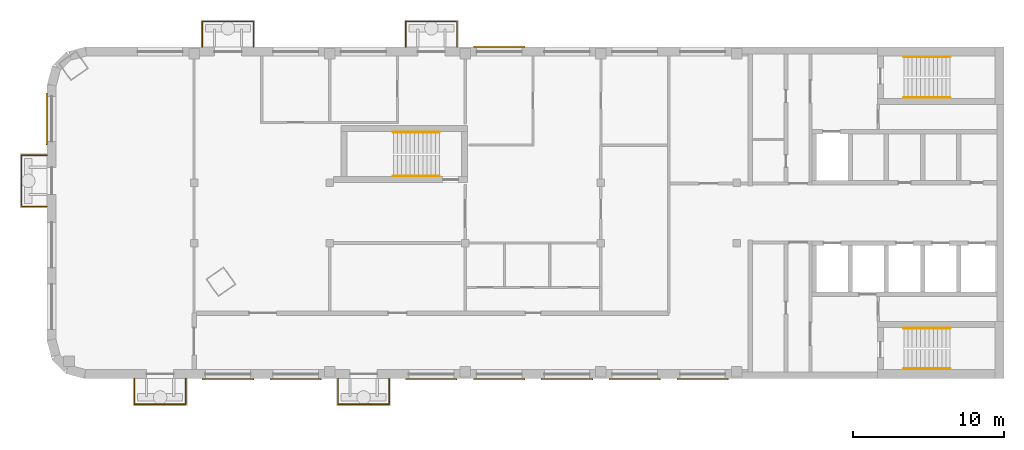
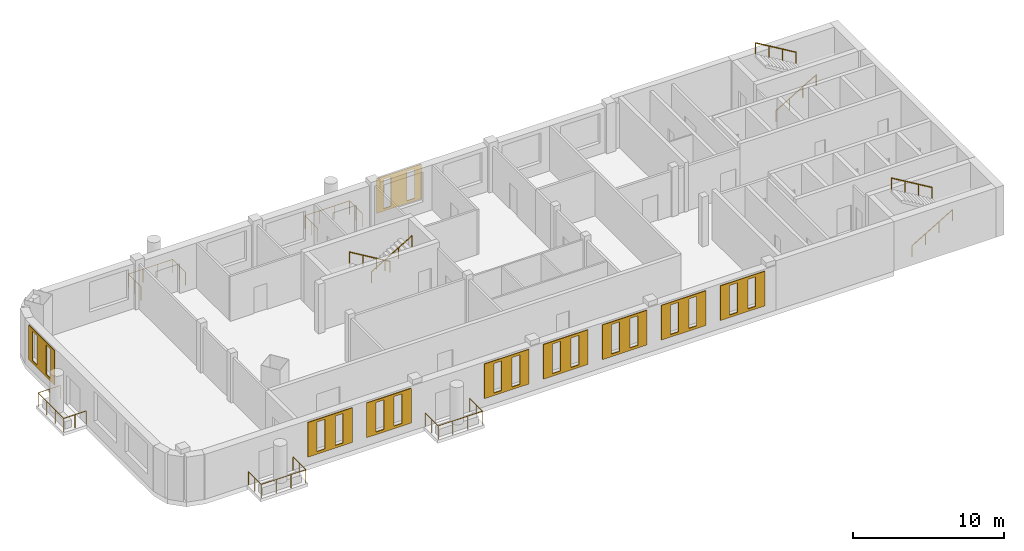
# One storey, part 6 of 8: 11 railings, 9 coverings.
"""IFC4 building model written with IfcOpenShell, lengths in metres."""

from ifc_helpers import new_model, si_unit, direction, frame, origin, origin_2d, place, context, subcontext, project, spatial, polyline, circle, outline, extrude, material, material_profile, profile_set, type_object, element, save


model = new_model("IFC4")

# Units and contexts
model_context = context("Model", 3, precision=1e-05, world=origin(), true_north=direction((0.0, 1.0)))
body_context = subcontext(model_context, "Body", "Model", "MODEL_VIEW")
ifc_project = project(units=[si_unit("LENGTHUNIT", "METRE"), si_unit("AREAUNIT", "SQUARE_METRE"), si_unit("VOLUMEUNIT", "CUBIC_METRE"), si_unit("PLANEANGLEUNIT", "RADIAN"), si_unit("MASSUNIT", "GRAM", prefix="KILO")], contexts=[model_context])

# Site, building, storey
site_placement = place(None, origin())
site = spatial("IfcSite", under=ifc_project, at=site_placement, CompositionType="ELEMENT")
building_placement = place(site_placement, origin())
building = spatial("IfcBuilding", under=site, at=building_placement, Name="Skarvind Civic Tower", CompositionType="ELEMENT")
storey_placement = place(building_placement, frame((0.0, 0.0, 253.5)))
storey = spatial("IfcBuildingStorey", under=building, at=storey_placement, Name="L60", CompositionType="ELEMENT", Elevation=253.5)

# Railings
ifc_material_1 = material(Name="Stainless steel balustrade", Category="steel")
railing_type_1 = type_object("IfcRailingType", Name="GR1 GUARD 1100", PredefinedType="GUARDRAIL", material=ifc_material_1)
for number, where, name in (
    (1, (54.800048828125, 139.0, 0.0), "TREE BALCONY GUARD"),
    (2, (68.300048828125, 139.0, 0.0), "TREE BALCONY GUARD"),
):
    element("IfcRailing", number, at=place(storey_placement, frame(where)), inside=storey, type_object=railing_type_1, Name=name, PredefinedType="GUARDRAIL", context=body_context, shape_type="SweptSolid", body=[
        extrude(circle(Radius=0.02392578125, at=origin_2d()), frame((0.0, 0.0, 1.076171875), z_axis=(0.0, 1.0, 0.0), x_axis=(-1.0, 0.0, 0.0)), (0.0, 0.0, 1.0), 1.699951171875),
        extrude(circle(Radius=0.02392578125, at=origin_2d()), frame((0.0, 1.699951171875, 1.076171875), z_axis=(1.0, 0.0, 0.0), x_axis=(0.0, 1.0, 0.0)), (0.0, 0.0, 1.0), 3.39990234375),
        extrude(circle(Radius=0.02392578125, at=origin_2d()), frame((3.39990234375, 1.699951171875, 1.076171875), z_axis=(0.0, -1.0, 0.0), x_axis=(1.0, 0.0, 0.0)), (0.0, 0.0, 1.0), 1.699951171875),
        extrude(circle(Radius=0.02099609375, at=origin_2d()), origin(), (0.0, 0.0, 1.0), 1.052001953125),
        extrude(circle(Radius=0.02099609375, at=origin_2d()), frame((0.0, 0.85009765625, 0.0)), (0.0, 0.0, 1.0), 1.052001953125),
        extrude(circle(Radius=0.02099609375, at=origin_2d()), frame((0.0, 1.699951171875, 0.0)), (0.0, 0.0, 1.0), 1.052001953125),
        extrude(circle(Radius=0.02099609375, at=origin_2d()), frame((1.13330078125, 1.699951171875, 0.0)), (0.0, 0.0, 1.0), 1.052001953125),
        extrude(circle(Radius=0.02099609375, at=origin_2d()), frame((2.2666015625, 1.699951171875, 0.0)), (0.0, 0.0, 1.0), 1.052001953125),
        extrude(circle(Radius=0.02099609375, at=origin_2d()), frame((3.39990234375, 1.699951171875, 0.0)), (0.0, 0.0, 1.0), 1.052001953125),
        extrude(circle(Radius=0.02099609375, at=origin_2d()), frame((3.39990234375, 0.85009765625, 0.0)), (0.0, 0.0, 1.0), 1.052001953125),
        extrude(circle(Radius=0.02099609375, at=origin_2d()), frame((3.39990234375, 0.0, 0.0)), (0.0, 0.0, 1.0), 1.052001953125),
    ])
railing_1_placement = place(storey_placement, frame((44.5, 128.425048828125, 0.0)))
element("IfcRailing", 3, at=railing_1_placement, inside=storey, type_object=railing_type_1, Name="TREE BALCONY GUARD", PredefinedType="GUARDRAIL", context=body_context, shape_type="SweptSolid", body=[
    extrude(circle(Radius=0.02392578125, at=origin_2d()), frame((0.0, 0.0, 1.076171875), z_axis=(-1.0, 0.0, 0.0), x_axis=(0.0, -1.0, 0.0)), (0.0, 0.0, 1.0), 1.699951171875),
    extrude(circle(Radius=0.02392578125, at=origin_2d()), frame((-1.699951171875, 0.0, 1.076171875), z_axis=(0.0, 1.0, 0.0), x_axis=(-1.0, 0.0, 0.0)), (0.0, 0.0, 1.0), 3.39990234375),
    extrude(circle(Radius=0.02392578125, at=origin_2d()), frame((-1.699951171875, 3.39990234375, 1.076171875), z_axis=(1.0, 0.0, 0.0), x_axis=(0.0, 1.0, 0.0)), (0.0, 0.0, 1.0), 1.699951171875),
    extrude(circle(Radius=0.02099609375, at=origin_2d()), origin(), (0.0, 0.0, 1.0), 1.052001953125),
    extrude(circle(Radius=0.02099609375, at=origin_2d()), frame((-0.85009765625, 0.0, 0.0)), (0.0, 0.0, 1.0), 1.052001953125),
    extrude(circle(Radius=0.02099609375, at=origin_2d()), frame((-1.699951171875, 0.0, 0.0)), (0.0, 0.0, 1.0), 1.052001953125),
    extrude(circle(Radius=0.02099609375, at=origin_2d()), frame((-1.699951171875, 1.13330078125, 0.0)), (0.0, 0.0, 1.0), 1.052001953125),
    extrude(circle(Radius=0.02099609375, at=origin_2d()), frame((-1.699951171875, 2.2666015625, 0.0)), (0.0, 0.0, 1.0), 1.052001953125),
    extrude(circle(Radius=0.02099609375, at=origin_2d()), frame((-1.699951171875, 3.39990234375, 0.0)), (0.0, 0.0, 1.0), 1.052001953125),
    extrude(circle(Radius=0.02099609375, at=origin_2d()), frame((-0.85009765625, 3.39990234375, 0.0)), (0.0, 0.0, 1.0), 1.052001953125),
    extrude(circle(Radius=0.02099609375, at=origin_2d()), frame((0.0, 3.39990234375, 0.0)), (0.0, 0.0, 1.0), 1.052001953125),
])
for number, where, name in (
    (4, (67.199951171875, 117.0, 0.0), "TREE BALCONY GUARD"),
    (5, (53.699951171875, 117.0, 0.0), "TREE BALCONY GUARD"),
):
    element("IfcRailing", number, at=place(storey_placement, frame(where)), inside=storey, type_object=railing_type_1, Name=name, PredefinedType="GUARDRAIL", context=body_context, shape_type="SweptSolid", body=[
        extrude(circle(Radius=0.02392578125, at=origin_2d()), frame((0.0, 0.0, 1.076171875), z_axis=(0.0, -1.0, 0.0), x_axis=(1.0, 0.0, 0.0)), (0.0, 0.0, 1.0), 1.699951171875),
        extrude(circle(Radius=0.02392578125, at=origin_2d()), frame((0.0, -1.699951171875, 1.076171875), z_axis=(-1.0, 0.0, 0.0), x_axis=(0.0, -1.0, 0.0)), (0.0, 0.0, 1.0), 3.39990234375),
        extrude(circle(Radius=0.02392578125, at=origin_2d()), frame((-3.39990234375, -1.699951171875, 1.076171875), z_axis=(0.0, 1.0, 0.0), x_axis=(-1.0, 0.0, 0.0)), (0.0, 0.0, 1.0), 1.699951171875),
        extrude(circle(Radius=0.02099609375, at=origin_2d()), origin(), (0.0, 0.0, 1.0), 1.052001953125),
        extrude(circle(Radius=0.02099609375, at=origin_2d()), frame((0.0, -0.85009765625, 0.0)), (0.0, 0.0, 1.0), 1.052001953125),
        extrude(circle(Radius=0.02099609375, at=origin_2d()), frame((0.0, -1.699951171875, 0.0)), (0.0, 0.0, 1.0), 1.052001953125),
        extrude(circle(Radius=0.02099609375, at=origin_2d()), frame((-1.13330078125, -1.699951171875, 0.0)), (0.0, 0.0, 1.0), 1.052001953125),
        extrude(circle(Radius=0.02099609375, at=origin_2d()), frame((-2.2666015625, -1.699951171875, 0.0)), (0.0, 0.0, 1.0), 1.052001953125),
        extrude(circle(Radius=0.02099609375, at=origin_2d()), frame((-3.39990234375, -1.699951171875, 0.0)), (0.0, 0.0, 1.0), 1.052001953125),
        extrude(circle(Radius=0.02099609375, at=origin_2d()), frame((-3.39990234375, -0.85009765625, 0.0)), (0.0, 0.0, 1.0), 1.052001953125),
        extrude(circle(Radius=0.02099609375, at=origin_2d()), frame((-3.39990234375, 0.0, 0.0)), (0.0, 0.0, 1.0), 1.052001953125),
    ])
ifc_material_2 = material(Name="Painted steel handrail", Category="steel")
railing_type_2 = type_object("IfcRailingType", Name="Stair handrail 900", PredefinedType="HANDRAIL", material=ifc_material_2)
railing_2_placement = place(storey_placement, frame((101.35009765625, 135.64990234375, 0.166748046875)))
element("IfcRailing", 6, at=railing_2_placement, inside=storey, type_object=railing_type_2, Name="Stair handrail", PredefinedType="HANDRAIL", context=body_context, shape_type="SweptSolid", body=[
    extrude(circle(Radius=0.02392578125, at=origin_2d()), frame((0.0, 0.0, 0.8759765625), z_axis=(0.859290745958, 0.0, 0.51148745235), x_axis=(0.0, 1.0, 0.0)), (0.0, 0.0, 1.0), 3.584228515625),
    extrude(circle(Radius=0.02099609375, at=origin_2d()), origin(), (0.0, 0.0, 1.0), 0.851806640625),
    extrude(circle(Radius=0.02099609375, at=origin_2d()), frame((1.026611328125, 0.0, 0.611083984375)), (0.0, 0.0, 1.0), 0.851806640625),
    extrude(circle(Radius=0.02099609375, at=origin_2d()), frame((2.05322265625, 0.0, 1.22216796875)), (0.0, 0.0, 1.0), 0.851806640625),
    extrude(circle(Radius=0.02099609375, at=origin_2d()), frame((3.079833984375, 0.0, 1.833251953125)), (0.0, 0.0, 1.0), 0.851806640625),
])
railing_3_placement = place(storey_placement, frame((104.429931640625, 138.35009765625, 2.166748046875)))
element("IfcRailing", 7, at=railing_3_placement, inside=storey, type_object=railing_type_2, Name="Stair handrail", PredefinedType="HANDRAIL", context=body_context, shape_type="SweptSolid", body=[
    extrude(circle(Radius=0.02392578125, at=origin_2d()), frame((0.0, 0.0, 0.8759765625), z_axis=(-0.859290745958, 0.0, 0.51148745235), x_axis=(0.0, -1.0, 0.0)), (0.0, 0.0, 1.0), 3.584228515625),
    extrude(circle(Radius=0.02099609375, at=origin_2d()), origin(), (0.0, 0.0, 1.0), 0.851806640625),
    extrude(circle(Radius=0.02099609375, at=origin_2d()), frame((-1.026611328125, 0.0, 0.611083984375)), (0.0, 0.0, 1.0), 0.851806640625),
    extrude(circle(Radius=0.02099609375, at=origin_2d()), frame((-2.05322265625, 0.0, 1.22216796875)), (0.0, 0.0, 1.0), 0.851806640625),
    extrude(circle(Radius=0.02099609375, at=origin_2d()), frame((-3.079833984375, 0.0, 1.833251953125)), (0.0, 0.0, 1.0), 0.851806640625),
])
railing_4_placement = place(storey_placement, frame((101.35009765625, 117.64990234375, 0.166748046875)))
element("IfcRailing", 8, at=railing_4_placement, inside=storey, type_object=railing_type_2, Name="Stair handrail", PredefinedType="HANDRAIL", context=body_context, shape_type="SweptSolid", body=[
    extrude(circle(Radius=0.02392578125, at=origin_2d()), frame((0.0, 0.0, 0.8759765625), z_axis=(0.859290745958, 0.0, 0.51148745235), x_axis=(0.0, 1.0, 0.0)), (0.0, 0.0, 1.0), 3.584228515625),
    extrude(circle(Radius=0.02099609375, at=origin_2d()), origin(), (0.0, 0.0, 1.0), 0.851806640625),
    extrude(circle(Radius=0.02099609375, at=origin_2d()), frame((1.026611328125, 0.0, 0.611083984375)), (0.0, 0.0, 1.0), 0.851806640625),
    extrude(circle(Radius=0.02099609375, at=origin_2d()), frame((2.05322265625, 0.0, 1.22216796875)), (0.0, 0.0, 1.0), 0.851806640625),
    extrude(circle(Radius=0.02099609375, at=origin_2d()), frame((3.079833984375, 0.0, 1.833251953125)), (0.0, 0.0, 1.0), 0.851806640625),
])
railing_5_placement = place(storey_placement, frame((104.429931640625, 120.35009765625, 2.166748046875)))
element("IfcRailing", 9, at=railing_5_placement, inside=storey, type_object=railing_type_2, Name="Stair handrail", PredefinedType="HANDRAIL", context=body_context, shape_type="SweptSolid", body=[
    extrude(circle(Radius=0.02392578125, at=origin_2d()), frame((0.0, 0.0, 0.8759765625), z_axis=(-0.859290745958, 0.0, 0.51148745235), x_axis=(0.0, -1.0, 0.0)), (0.0, 0.0, 1.0), 3.584228515625),
    extrude(circle(Radius=0.02099609375, at=origin_2d()), origin(), (0.0, 0.0, 1.0), 0.851806640625),
    extrude(circle(Radius=0.02099609375, at=origin_2d()), frame((-1.026611328125, 0.0, 0.611083984375)), (0.0, 0.0, 1.0), 0.851806640625),
    extrude(circle(Radius=0.02099609375, at=origin_2d()), frame((-2.05322265625, 0.0, 1.22216796875)), (0.0, 0.0, 1.0), 0.851806640625),
    extrude(circle(Radius=0.02099609375, at=origin_2d()), frame((-3.079833984375, 0.0, 1.833251953125)), (0.0, 0.0, 1.0), 0.851806640625),
])
railing_6_placement = place(storey_placement, frame((70.550048828125, 133.35009765625, 0.166748046875)))
element("IfcRailing", 10, at=railing_6_placement, inside=storey, type_object=railing_type_2, Name="Stair handrail", PredefinedType="HANDRAIL", context=body_context, shape_type="SweptSolid", body=[
    extrude(circle(Radius=0.02392578125, at=origin_2d()), frame((0.0, 0.0, 0.8759765625), z_axis=(-0.859308565015, 0.0, 0.511457515432), x_axis=(0.0, -1.0, 0.0)), (0.0, 0.0, 1.0), 3.58447265625),
    extrude(circle(Radius=0.02099609375, at=origin_2d()), origin(), (0.0, 0.0, 1.0), 0.851806640625),
    extrude(circle(Radius=0.02099609375, at=origin_2d()), frame((-1.026611328125, 0.0, 0.611083984375)), (0.0, 0.0, 1.0), 0.851806640625),
    extrude(circle(Radius=0.02099609375, at=origin_2d()), frame((-2.053466796875, 0.0, 1.22216796875)), (0.0, 0.0, 1.0), 0.851806640625),
    extrude(circle(Radius=0.02099609375, at=origin_2d()), frame((-3.080078125, 0.0, 1.833251953125)), (0.0, 0.0, 1.0), 0.851806640625),
])
railing_7_placement = place(storey_placement, frame((67.469970703125, 130.449951171875, 2.166748046875)))
element("IfcRailing", 11, at=railing_7_placement, inside=storey, type_object=railing_type_2, Name="Stair handrail", PredefinedType="HANDRAIL", context=body_context, shape_type="SweptSolid", body=[
    extrude(circle(Radius=0.02392578125, at=origin_2d()), frame((0.0, 0.0, 0.8759765625), z_axis=(0.859308565015, 0.0, 0.511457515432), x_axis=(0.0, 1.0, 0.0)), (0.0, 0.0, 1.0), 3.58447265625),
    extrude(circle(Radius=0.02099609375, at=origin_2d()), origin(), (0.0, 0.0, 1.0), 0.851806640625),
    extrude(circle(Radius=0.02099609375, at=origin_2d()), frame((1.026611328125, 0.0, 0.611083984375)), (0.0, 0.0, 1.0), 0.851806640625),
    extrude(circle(Radius=0.02099609375, at=origin_2d()), frame((2.053466796875, 0.0, 1.22216796875)), (0.0, 0.0, 1.0), 0.851806640625),
    extrude(circle(Radius=0.02099609375, at=origin_2d()), frame((3.080078125, 0.0, 1.833251953125)), (0.0, 0.0, 1.0), 0.851806640625),
])

# Coverings
ifc_material_3 = material(Name="Terracotta", Category="masonry")
ifc_material_profile_1 = material_profile(ifc_material_3, outline(polyline([(-1.699951171875, -1.39990234375), (1.699951171875, -1.39990234375), (1.699951171875, 1.39990234375), (-1.699951171875, 1.39990234375), (-1.699951171875, -1.39990234375)]), holes=[polyline([(-1.0, -1.18994140625), (-0.39990234375, -1.18994140625), (-0.39990234375, 1.18994140625), (-1.0, 1.18994140625), (-1.0, -1.18994140625)]), polyline([(0.39990234375, -1.18994140625), (1.0, -1.18994140625), (1.0, 1.18994140625), (0.39990234375, 1.18994140625), (0.39990234375, -1.18994140625)])]), Name="TERRACOTTA SCREEN 3400 x 2800, SLIT PITCH 1400")
ifc_profile_set_1 = profile_set([ifc_material_profile_1], Name="Terracotta")
covering_type_1 = type_object("IfcCoveringType", Name="TERRACOTTA SCREEN 3400 x 2800, SLIT PITCH 1400", PredefinedType="CLADDING", material=ifc_profile_set_1)
for number, where, z_axis, x_axis, name in (
    (12, (88.0, 117.0, 2.10009765625), (0.0, -1.0, 0.0), (1.0, 0.0, 0.0), "TERRACOTTA SCREEN"),
    (13, (83.5, 117.0, 2.10009765625), (0.0, -1.0, 0.0), (1.0, 0.0, 0.0), "TERRACOTTA SCREEN"),
    (14, (79.0, 117.0, 2.10009765625), (0.0, -1.0, 0.0), (1.0, 0.0, 0.0), "TERRACOTTA SCREEN"),
    (15, (74.5, 117.0, 2.10009765625), (0.0, -1.0, 0.0), (1.0, 0.0, 0.0), "TERRACOTTA SCREEN"),
    (16, (70.0, 117.0, 2.10009765625), (0.0, -1.0, 0.0), (1.0, 0.0, 0.0), "TERRACOTTA SCREEN"),
    (17, (61.0, 117.0, 2.10009765625), (0.0, -1.0, 0.0), (1.0, 0.0, 0.0), "TERRACOTTA SCREEN"),
    (18, (56.5, 117.0, 2.10009765625), (0.0, -1.0, 0.0), (1.0, 0.0, 0.0), "TERRACOTTA SCREEN"),
):
    element("IfcCovering", number, at=place(storey_placement, frame(where, z_axis=z_axis, x_axis=x_axis)), inside=storey, type_object=covering_type_1, Name=name, PredefinedType="CLADDING", context=body_context, shape_type="SweptSolid", body=[
        extrude(outline(polyline([(-1.699951171875, -1.39990234375), (1.699951171875, -1.39990234375), (1.699951171875, 1.39990234375), (-1.699951171875, 1.39990234375), (-1.699951171875, -1.39990234375)]), holes=[polyline([(-1.0, -1.18994140625), (-0.39990234375, -1.18994140625), (-0.39990234375, 1.18994140625), (-1.0, 1.18994140625), (-1.0, -1.18994140625)]), polyline([(0.39990234375, -1.18994140625), (1.0, -1.18994140625), (1.0, 1.18994140625), (0.39990234375, 1.18994140625), (0.39990234375, -1.18994140625)])]), origin(), (0.0, 0.0, 1.0), 0.06005859375),
    ])
ifc_material_profile_2 = material_profile(ifc_material_3, outline(polyline([(-1.699951171875, -1.39990234375), (1.699951171875, -1.39990234375), (1.699951171875, 1.39990234375), (-1.699951171875, 1.39990234375), (-1.699951171875, -1.39990234375)]), holes=[polyline([(-1.199951171875, -1.18994140625), (-0.60009765625, -1.18994140625), (-0.60009765625, 1.18994140625), (-1.199951171875, 1.18994140625), (-1.199951171875, -1.18994140625)]), polyline([(0.60009765625, -1.18994140625), (1.199951171875, -1.18994140625), (1.199951171875, 1.18994140625), (0.60009765625, 1.18994140625), (0.60009765625, -1.18994140625)])]), Name="TERRACOTTA SCREEN 3400 x 2800, SLIT PITCH 1800")
ifc_profile_set_2 = profile_set([ifc_material_profile_2], Name="Terracotta")
covering_type_2 = type_object("IfcCoveringType", Name="TERRACOTTA SCREEN 3400 x 2800, SLIT PITCH 1800", PredefinedType="CLADDING", material=ifc_profile_set_2)
for number, where, z_axis, x_axis, name in (
    (19, (74.5, 139.0, 2.10009765625), (0.0, 1.0, 0.0), (-1.0, 0.0, 0.0), "TERRACOTTA SCREEN"),
    (20, (44.5, 134.22509765625, 2.10009765625), (-1.0, 0.0, 0.0), (0.0, -1.0, 0.0), "TERRACOTTA SCREEN"),
):
    element("IfcCovering", number, at=place(storey_placement, frame(where, z_axis=z_axis, x_axis=x_axis)), inside=storey, type_object=covering_type_2, Name=name, PredefinedType="CLADDING", context=body_context, shape_type="SweptSolid", body=[
        extrude(outline(polyline([(-1.699951171875, -1.39990234375), (1.699951171875, -1.39990234375), (1.699951171875, 1.39990234375), (-1.699951171875, 1.39990234375), (-1.699951171875, -1.39990234375)]), holes=[polyline([(-1.199951171875, -1.18994140625), (-0.60009765625, -1.18994140625), (-0.60009765625, 1.18994140625), (-1.199951171875, 1.18994140625), (-1.199951171875, -1.18994140625)]), polyline([(0.60009765625, -1.18994140625), (1.199951171875, -1.18994140625), (1.199951171875, 1.18994140625), (0.60009765625, 1.18994140625), (0.60009765625, -1.18994140625)])]), origin(), (0.0, 0.0, 1.0), 0.06005859375),
    ])

save(model, "model.ifc")
